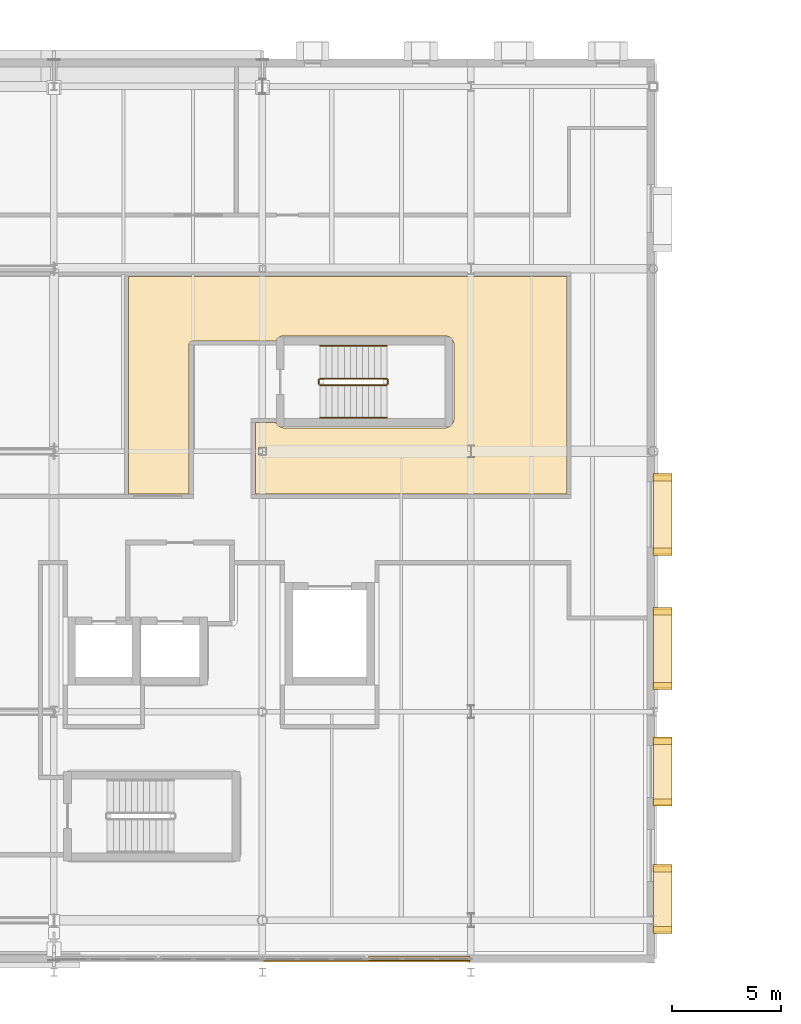
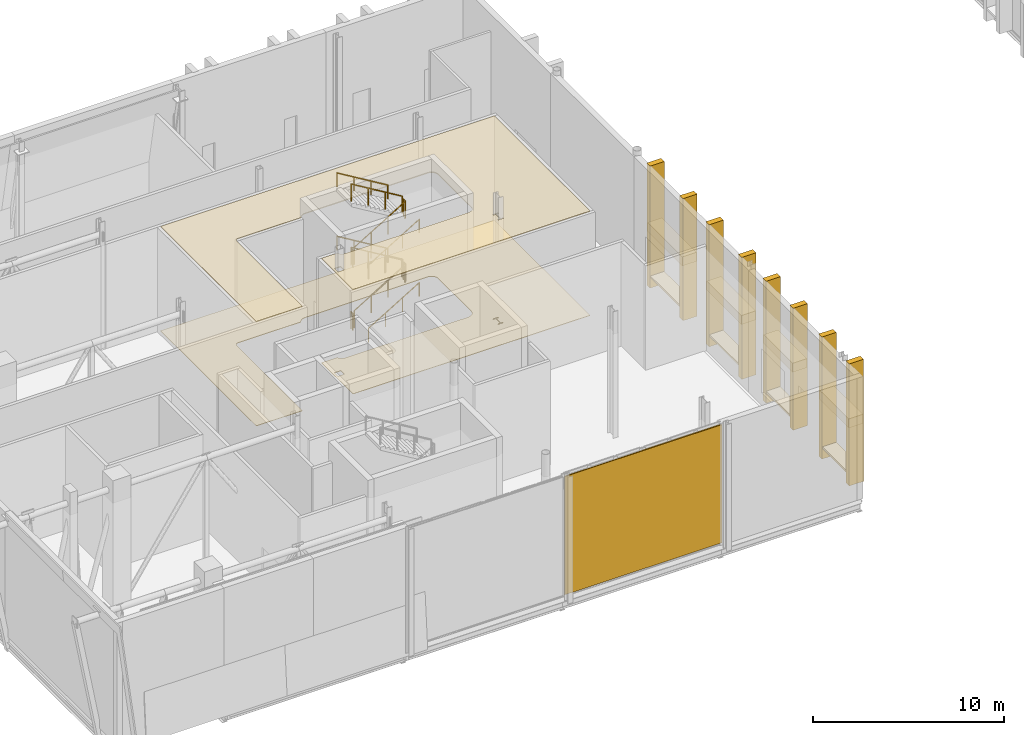
# One storey, part 67 of 79: 19 coverings, 12 railings, 1 shading device.
"""IFC4 building model written with IfcOpenShell, lengths in metres."""

from ifc_helpers import new_model, si_unit, direction, frame, origin, origin_2d, place, context, subcontext, project, spatial, polyline, rectangle, circle, outline, extrude, material, layer, layer_set, type_object, element, save


model = new_model("IFC4")

# Units and contexts
model_context = context("Model", 3, precision=1e-05, world=origin(), true_north=direction((0.0, 1.0)))
body_context = subcontext(model_context, "Body", "Model", "MODEL_VIEW")
ifc_project = project(units=[si_unit("LENGTHUNIT", "METRE"), si_unit("AREAUNIT", "SQUARE_METRE"), si_unit("VOLUMEUNIT", "CUBIC_METRE"), si_unit("PLANEANGLEUNIT", "RADIAN"), si_unit("MASSUNIT", "GRAM", prefix="KILO")], contexts=[model_context])

# Site, building, storey
site_placement = place(None, origin())
site = spatial("IfcSite", under=ifc_project, at=site_placement, CompositionType="ELEMENT")
building_placement = place(site_placement, origin())
building = spatial("IfcBuilding", under=site, at=building_placement, Name="Zereglee Splitstone Museum", CompositionType="ELEMENT")
storey_placement = place(building_placement, frame((0.0, 0.0, 9.0)))
storey = spatial("IfcBuildingStorey", under=building, at=storey_placement, Name="L02", CompositionType="ELEMENT", Elevation=9.0)

# Coverings
ifc_material_1 = material(Name="Siberian larch acoustic timber ceiling", Category="wood")
ifc_layer_1 = layer(ifc_material_1, 0.06005859375)
ifc_layer_set_1 = layer_set([ifc_layer_1], Name="Siberian larch acoustic timber ceiling")
covering_type_1 = type_object("IfcCoveringType", Name="CLG-01", PredefinedType="CEILING", material=ifc_layer_set_1)
covering_1_placement = place(storey_placement, frame((0.0, 0.0, 6.639892578125)))
element("IfcCovering", 1, at=covering_1_placement, inside=storey, type_object=covering_type_1, Name="Acoustic Ceiling L02-035", PredefinedType="CEILING", context=body_context, shape_type="SweptSolid", body=[
    extrude(outline(polyline([(26.799072265625, 26.679931640625), (26.783203125, 26.67919921875), (26.781494140625, 26.678955078125), (26.765869140625, 26.6767578125), (26.763916015625, 26.67626953125), (26.748779296875, 26.672607421875), (26.746826171875, 26.671875), (26.73193359375, 26.666748046875), (26.730224609375, 26.666015625), (26.716064453125, 26.6591796875), (26.71435546875, 26.658203125), (26.70068359375, 26.650146484375), (26.69921875, 26.649169921875), (26.6865234375, 26.6396484375), (26.68505859375, 26.638427734375), (26.67333984375, 26.6279296875), (26.672119140625, 26.626708984375), (26.66162109375, 26.614990234375), (26.660400390625, 26.61328125), (26.65087890625, 26.600830078125), (26.64990234375, 26.59912109375), (26.6416015625, 26.585693359375), (26.640869140625, 26.583984375), (26.634033203125, 26.56982421875), (26.63330078125, 26.568115234375), (26.628173828125, 26.55322265625), (26.62744140625, 26.55126953125), (26.623779296875, 26.5361328125), (26.623291015625, 26.5341796875), (26.62109375, 26.5185546875), (26.620849609375, 26.5166015625), (26.6201171875, 26.5009765625), (26.6201171875, 26.5), (26.6201171875, 19.6298828125), (23.840087890625, 19.6298828125), (23.840087890625, 29.659912109375), (44.02001953125, 29.659912109375), (44.02001953125, 19.6298828125), (29.679931640625, 19.6298828125), (29.679931640625, 22.919921875), (30.62109375, 22.919921875), (30.629638671875, 22.902099609375), (30.65087890625, 22.86669921875), (30.67529296875, 22.83349609375), (30.702880859375, 22.802978515625), (30.733642578125, 22.775390625), (30.7666015625, 22.750732421875), (30.802001953125, 22.7294921875), (30.83935546875, 22.7119140625), (30.878173828125, 22.697998046875), (30.918212890625, 22.68798828125), (30.958740234375, 22.681884765625), (31.0, 22.679931640625), (38.39990234375, 22.679931640625), (38.441162109375, 22.681884765625), (38.48193359375, 22.68798828125), (38.52197265625, 22.697998046875), (38.560791015625, 22.7119140625), (38.597900390625, 22.7294921875), (38.63330078125, 22.750732421875), (38.66650390625, 22.775390625), (38.697021484375, 22.802978515625), (38.724609375, 22.83349609375), (38.749267578125, 22.86669921875), (38.7705078125, 22.902099609375), (38.7880859375, 22.939208984375), (38.802001953125, 22.97802734375), (38.81201171875, 23.01806640625), (38.818115234375, 23.058837890625), (38.820068359375, 23.10009765625), (38.820068359375, 26.5), (38.818115234375, 26.541259765625), (38.81201171875, 26.581787109375), (38.802001953125, 26.621826171875), (38.7880859375, 26.66064453125), (38.7705078125, 26.697998046875), (38.749267578125, 26.7333984375), (38.724609375, 26.766357421875), (38.697021484375, 26.797119140625), (38.66650390625, 26.82470703125), (38.63330078125, 26.84912109375), (38.597900390625, 26.870361328125), (38.560791015625, 26.887939453125), (38.52197265625, 26.90185546875), (38.48193359375, 26.911865234375), (38.441162109375, 26.91796875), (38.39990234375, 26.919921875), (31.0, 26.919921875), (30.958740234375, 26.91796875), (30.918212890625, 26.911865234375), (30.878173828125, 26.90185546875), (30.83935546875, 26.887939453125), (30.802001953125, 26.870361328125), (30.7666015625, 26.84912109375), (30.733642578125, 26.82470703125), (30.702880859375, 26.797119140625), (30.67529296875, 26.766357421875), (30.65087890625, 26.7333984375), (30.629638671875, 26.697998046875), (30.62109375, 26.679931640625), (26.800048828125, 26.679931640625), (26.799072265625, 26.679931640625)]), holes=[polyline([(39.758056640625, 21.837890625), (39.758056640625, 21.883056640625), (39.44189453125, 21.883056640625), (39.44189453125, 21.837890625), (39.58447265625, 21.837890625), (39.58447265625, 21.362060546875), (39.44189453125, 21.362060546875), (39.44189453125, 21.31689453125), (39.758056640625, 21.31689453125), (39.758056640625, 21.362060546875), (39.615478515625, 21.362060546875), (39.615478515625, 21.837890625), (39.758056640625, 21.837890625)]), polyline([(29.81689453125, 21.782958984375), (29.81689453125, 21.4169921875), (30.18310546875, 21.4169921875), (30.18310546875, 21.782958984375), (29.81689453125, 21.782958984375)])]), origin(), (0.0, 0.0, 1.0), 0.06005859375),
])
ifc_material_2 = material(Name="Honed Gobi pale limestone stringcourse and soffit cladding", Category="masonry")
ifc_layer_2 = layer(ifc_material_2, 0.070068359375)
ifc_layer_set_2 = layer_set([ifc_layer_2], Name="Honed Gobi pale limestone stringcourse and soffit cladding")
covering_type_2 = type_object("IfcCoveringType", Name="CL-02", PredefinedType="CLADDING", material=ifc_layer_set_2)
covering_2_placement = place(storey_placement, frame((37.219970703125, -1.780029296875, 6.804931640625), z_axis=(0.0, 0.0, 1.0), x_axis=(1.0, 0.0, 0.0)))
element("IfcCovering", 2, at=covering_2_placement, inside=storey, type_object=covering_type_2, Name="Mughal Carved Clerestory Jaali Frieze RC4-CW-L02-105-2", PredefinedType="CLADDING", context=body_context, shape_type="SweptSolid", body=[
    extrude(rectangle(XDim=4.679931640625, YDim=0.239990234375, at=origin_2d()), origin(), (0.0, 0.0, 1.0), 0.75),
])
for number, where, z_axis, x_axis, name in (
    (3, (48.425048828125, -0.445068359375, 0.0), (0.0, 0.0, 1.0), (0.0, 1.0, 0.0), "Mughal Window Reveal Stone Pilaster L02-0083L"),
    (4, (48.425048828125, 2.39501953125, 0.0), (0.0, 0.0, 1.0), (0.0, 1.0, 0.0), "Mughal Window Reveal Stone Pilaster L02-0083R"),
):
    element("IfcCovering", number, at=place(storey_placement, frame(where, z_axis=z_axis, x_axis=x_axis)), inside=storey, type_object=covering_type_2, Name=name, PredefinedType="CLADDING", context=body_context, shape_type="SweptSolid", body=[
        extrude(rectangle(XDim=0.340087890625, YDim=0.860107421875, at=origin_2d()), origin(), (0.0, 0.0, 1.0), 7.800048828125),
    ])
covering_3_placement = place(storey_placement, frame((48.43505859375, 0.97509765625, 0.659912109375), z_axis=(0.0, 0.0, 1.0), x_axis=(0.0, 1.0, 0.0)))
element("IfcCovering", 5, at=covering_3_placement, inside=storey, type_object=covering_type_2, Name="Carved Limestone Window Sill L02-0083", PredefinedType="CLADDING", context=body_context, shape_type="SweptSolid", body=[
    extrude(rectangle(XDim=3.0400390625, YDim=0.840087890625, at=origin_2d()), origin(), (0.0, 0.0, 1.0), 0.1201171875),
])
for number, where, z_axis, x_axis, name in (
    (6, (48.425048828125, 5.425048828125, 0.0), (0.0, 0.0, 1.0), (0.0, 1.0, 0.0), "Mughal Window Reveal Stone Pilaster L02-0084L"),
    (7, (48.425048828125, 8.264892578125, 0.0), (0.0, 0.0, 1.0), (0.0, 1.0, 0.0), "Mughal Window Reveal Stone Pilaster L02-0084R"),
):
    element("IfcCovering", number, at=place(storey_placement, frame(where, z_axis=z_axis, x_axis=x_axis)), inside=storey, type_object=covering_type_2, Name=name, PredefinedType="CLADDING", context=body_context, shape_type="SweptSolid", body=[
        extrude(rectangle(XDim=0.340087890625, YDim=0.860107421875, at=origin_2d()), origin(), (0.0, 0.0, 1.0), 7.800048828125),
    ])
covering_4_placement = place(storey_placement, frame((48.43505859375, 6.844970703125, 0.659912109375), z_axis=(0.0, 0.0, 1.0), x_axis=(0.0, 1.0, 0.0)))
element("IfcCovering", 8, at=covering_4_placement, inside=storey, type_object=covering_type_2, Name="Carved Limestone Window Sill L02-0084", PredefinedType="CLADDING", context=body_context, shape_type="SweptSolid", body=[
    extrude(rectangle(XDim=3.0400390625, YDim=0.840087890625, at=origin_2d()), origin(), (0.0, 0.0, 1.0), 0.1201171875),
])
for number, where, z_axis, x_axis, name in (
    (9, (48.425048828125, 10.7900390625, 0.0), (0.0, 0.0, 1.0), (0.0, 1.0, 0.0), "Mughal Window Reveal Stone Pilaster L02-0085L"),
    (10, (48.425048828125, 14.22998046875, 0.0), (0.0, 0.0, 1.0), (0.0, 1.0, 0.0), "Mughal Window Reveal Stone Pilaster L02-0085R"),
):
    element("IfcCovering", number, at=place(storey_placement, frame(where, z_axis=z_axis, x_axis=x_axis)), inside=storey, type_object=covering_type_2, Name=name, PredefinedType="CLADDING", context=body_context, shape_type="SweptSolid", body=[
        extrude(rectangle(XDim=0.340087890625, YDim=0.860107421875, at=origin_2d()), origin(), (0.0, 0.0, 1.0), 7.800048828125),
    ])
covering_5_placement = place(storey_placement, frame((48.43505859375, 12.510009765625, 0.659912109375), z_axis=(0.0, 0.0, 1.0), x_axis=(0.0, 1.0, 0.0)))
element("IfcCovering", 11, at=covering_5_placement, inside=storey, type_object=covering_type_2, Name="Carved Limestone Window Sill L02-0085", PredefinedType="CLADDING", context=body_context, shape_type="SweptSolid", body=[
    extrude(rectangle(XDim=3.639892578125, YDim=0.840087890625, at=origin_2d()), origin(), (0.0, 0.0, 1.0), 0.1201171875),
])
for number, where, z_axis, x_axis, name in (
    (12, (48.425048828125, 16.969970703125, 0.0), (0.0, 0.0, 1.0), (0.0, 1.0, 0.0), "Mughal Window Reveal Stone Pilaster L02-0086L"),
    (13, (48.425048828125, 20.409912109375, 0.0), (0.0, 0.0, 1.0), (0.0, 1.0, 0.0), "Mughal Window Reveal Stone Pilaster L02-0086R"),
):
    element("IfcCovering", number, at=place(storey_placement, frame(where, z_axis=z_axis, x_axis=x_axis)), inside=storey, type_object=covering_type_2, Name=name, PredefinedType="CLADDING", context=body_context, shape_type="SweptSolid", body=[
        extrude(rectangle(XDim=0.340087890625, YDim=0.860107421875, at=origin_2d()), origin(), (0.0, 0.0, 1.0), 7.800048828125),
    ])
covering_6_placement = place(storey_placement, frame((48.43505859375, 18.68994140625, 0.659912109375), z_axis=(0.0, 0.0, 1.0), x_axis=(0.0, 1.0, 0.0)))
element("IfcCovering", 14, at=covering_6_placement, inside=storey, type_object=covering_type_2, Name="Carved Limestone Window Sill L02-0086", PredefinedType="CLADDING", context=body_context, shape_type="SweptSolid", body=[
    extrude(rectangle(XDim=3.639892578125, YDim=0.840087890625, at=origin_2d()), origin(), (0.0, 0.0, 1.0), 0.1201171875),
])
ifc_material_3 = material(Name="Honed Khoroo red sandstone ventilated rainscreen", Category="masonry")
ifc_layer_3 = layer(ifc_material_3, 0.080078125)
ifc_layer_set_3 = layer_set([ifc_layer_3], Name="Honed Khoroo red sandstone ventilated rainscreen")
covering_type_3 = type_object("IfcCoveringType", Name="CL-01", PredefinedType="CLADDING", material=ifc_layer_set_3)
for number, where, z_axis, x_axis, name in (
    (15, (48.43505859375, 0.97509765625, 3.659912109375), (0.0, 0.0, 1.0), (0.0, 1.0, 0.0), "Pointed-Arch Mughal Window Hood L02-0083"),
    (16, (48.43505859375, 6.844970703125, 3.659912109375), (0.0, 0.0, 1.0), (0.0, 1.0, 0.0), "Pointed-Arch Mughal Window Hood L02-0084"),
):
    element("IfcCovering", number, at=place(storey_placement, frame(where, z_axis=z_axis, x_axis=x_axis)), inside=storey, type_object=covering_type_3, Name=name, PredefinedType="CLADDING", context=body_context, shape_type="SweptSolid", body=[
        extrude(rectangle(XDim=3.0400390625, YDim=0.860107421875, at=origin_2d()), origin(), (0.0, 0.0, 1.0), 0.580078125),
    ])
for number, where, z_axis, x_axis, name in (
    (17, (48.43505859375, 12.510009765625, 3.4599609375), (0.0, 0.0, 1.0), (0.0, 1.0, 0.0), "Pointed-Arch Mughal Window Hood L02-0085"),
    (18, (48.43505859375, 18.68994140625, 3.4599609375), (0.0, 0.0, 1.0), (0.0, 1.0, 0.0), "Pointed-Arch Mughal Window Hood L02-0086"),
):
    element("IfcCovering", number, at=place(storey_placement, frame(where, z_axis=z_axis, x_axis=x_axis)), inside=storey, type_object=covering_type_3, Name=name, PredefinedType="CLADDING", context=body_context, shape_type="SweptSolid", body=[
        extrude(rectangle(XDim=3.639892578125, YDim=0.860107421875, at=origin_2d()), origin(), (0.0, 0.0, 1.0), 0.580078125),
    ])
ifc_material_4 = material(Name="Honed Gobi granite terrazzo flooring", Category="masonry")
ifc_layer_4 = layer(ifc_material_4, 0.030029296875)
ifc_layer_set_4 = layer_set([ifc_layer_4], Name="Honed Gobi granite terrazzo flooring")
covering_type_4 = type_object("IfcCoveringType", Name="FLR-01", PredefinedType="FLOORING", material=ifc_layer_set_4)
covering_7_placement = place(storey_placement, origin())
element("IfcCovering", 19, at=covering_7_placement, inside=storey, type_object=covering_type_4, Name="Terrazzo Gallery Flooring L02-022", PredefinedType="FLOORING", context=body_context, shape_type="SweptSolid", body=[
    extrude(outline(polyline([(26.799072265625, 26.679931640625), (26.783203125, 26.67919921875), (26.781494140625, 26.678955078125), (26.765869140625, 26.6767578125), (26.763916015625, 26.67626953125), (26.748779296875, 26.672607421875), (26.746826171875, 26.671875), (26.73193359375, 26.666748046875), (26.730224609375, 26.666015625), (26.716064453125, 26.6591796875), (26.71435546875, 26.658203125), (26.70068359375, 26.650146484375), (26.69921875, 26.649169921875), (26.6865234375, 26.6396484375), (26.68505859375, 26.638427734375), (26.67333984375, 26.6279296875), (26.672119140625, 26.626708984375), (26.66162109375, 26.614990234375), (26.660400390625, 26.61328125), (26.65087890625, 26.600830078125), (26.64990234375, 26.59912109375), (26.6416015625, 26.585693359375), (26.640869140625, 26.583984375), (26.634033203125, 26.56982421875), (26.63330078125, 26.568115234375), (26.628173828125, 26.55322265625), (26.62744140625, 26.55126953125), (26.623779296875, 26.5361328125), (26.623291015625, 26.5341796875), (26.62109375, 26.5185546875), (26.620849609375, 26.5166015625), (26.6201171875, 26.5009765625), (26.6201171875, 26.5), (26.6201171875, 19.6298828125), (23.840087890625, 19.6298828125), (23.840087890625, 29.659912109375), (44.02001953125, 29.659912109375), (44.02001953125, 19.6298828125), (29.679931640625, 19.6298828125), (29.679931640625, 22.919921875), (30.62109375, 22.919921875), (30.629638671875, 22.902099609375), (30.65087890625, 22.86669921875), (30.67529296875, 22.83349609375), (30.702880859375, 22.802978515625), (30.733642578125, 22.775390625), (30.7666015625, 22.750732421875), (30.802001953125, 22.7294921875), (30.83935546875, 22.7119140625), (30.878173828125, 22.697998046875), (30.918212890625, 22.68798828125), (30.958740234375, 22.681884765625), (31.0, 22.679931640625), (38.39990234375, 22.679931640625), (38.441162109375, 22.681884765625), (38.48193359375, 22.68798828125), (38.52197265625, 22.697998046875), (38.560791015625, 22.7119140625), (38.597900390625, 22.7294921875), (38.63330078125, 22.750732421875), (38.66650390625, 22.775390625), (38.697021484375, 22.802978515625), (38.724609375, 22.83349609375), (38.749267578125, 22.86669921875), (38.7705078125, 22.902099609375), (38.7880859375, 22.939208984375), (38.802001953125, 22.97802734375), (38.81201171875, 23.01806640625), (38.818115234375, 23.058837890625), (38.820068359375, 23.10009765625), (38.820068359375, 26.5), (38.818115234375, 26.541259765625), (38.81201171875, 26.581787109375), (38.802001953125, 26.621826171875), (38.7880859375, 26.66064453125), (38.7705078125, 26.697998046875), (38.749267578125, 26.7333984375), (38.724609375, 26.766357421875), (38.697021484375, 26.797119140625), (38.66650390625, 26.82470703125), (38.63330078125, 26.84912109375), (38.597900390625, 26.870361328125), (38.560791015625, 26.887939453125), (38.52197265625, 26.90185546875), (38.48193359375, 26.911865234375), (38.441162109375, 26.91796875), (38.39990234375, 26.919921875), (31.0, 26.919921875), (30.958740234375, 26.91796875), (30.918212890625, 26.911865234375), (30.878173828125, 26.90185546875), (30.83935546875, 26.887939453125), (30.802001953125, 26.870361328125), (30.7666015625, 26.84912109375), (30.733642578125, 26.82470703125), (30.702880859375, 26.797119140625), (30.67529296875, 26.766357421875), (30.65087890625, 26.7333984375), (30.629638671875, 26.697998046875), (30.62109375, 26.679931640625), (26.800048828125, 26.679931640625), (26.799072265625, 26.679931640625)]), holes=[polyline([(39.758056640625, 21.837890625), (39.758056640625, 21.883056640625), (39.44189453125, 21.883056640625), (39.44189453125, 21.837890625), (39.58447265625, 21.837890625), (39.58447265625, 21.362060546875), (39.44189453125, 21.362060546875), (39.44189453125, 21.31689453125), (39.758056640625, 21.31689453125), (39.758056640625, 21.362060546875), (39.615478515625, 21.362060546875), (39.615478515625, 21.837890625), (39.758056640625, 21.837890625)]), polyline([(29.81689453125, 21.782958984375), (29.81689453125, 21.4169921875), (30.18310546875, 21.4169921875), (30.18310546875, 21.782958984375), (29.81689453125, 21.782958984375)])]), origin(), (0.0, 0.0, 1.0), 0.030029296875),
])

# Railings
ifc_material_5 = material(Name="Painted steel S355J2 post-and-baluster guard", Category="steel")
railing_type_1 = type_object("IfcRailingType", Name="GR-03", PredefinedType="BALUSTRADE", material=ifc_material_5)
railing_1_placement = place(storey_placement, frame((32.64990234375, 24.64990234375, 0.168701171875)))
element("IfcRailing", 20, at=railing_1_placement, inside=storey, type_object=railing_type_1, Name="L02 ST-02 stair guard 1", PredefinedType="BALUSTRADE", context=body_context, shape_type="SweptSolid", body=[
    extrude(circle(Radius=0.02392578125, at=origin_2d()), frame((0.0, 0.0, 1.076416015625), z_axis=(0.856490936558, 0.0, 0.516162063304), x_axis=(0.0, 1.0, 0.0)), (0.0, 0.0, 1.0), 3.59619140625),
    extrude(circle(Radius=0.02099609375, at=origin_2d()), origin(), (0.0, 0.0, 1.0), 1.052001953125),
    extrude(circle(Radius=0.02099609375, at=origin_2d()), frame((1.026611328125, 0.0, 0.61865234375)), (0.0, 0.0, 1.0), 1.052001953125),
    extrude(circle(Radius=0.02099609375, at=origin_2d()), frame((2.053466796875, 0.0, 1.237548828125)), (0.0, 0.0, 1.0), 1.052001953125),
    extrude(circle(Radius=0.02099609375, at=origin_2d()), frame((3.080078125, 0.0, 1.856201171875)), (0.0, 0.0, 1.0), 1.052001953125),
])
railing_2_placement = place(storey_placement, frame((35.780029296875, 24.699951171875, 2.02490234375)))
element("IfcRailing", 21, at=railing_2_placement, inside=storey, type_object=railing_type_1, Name="L02 ST-02 stair guard 2", PredefinedType="BALUSTRADE", context=body_context, shape_type="SweptSolid", body=[
    extrude(circle(Radius=0.02392578125, at=origin_2d()), frame((0.0, 0.0, 1.076416015625), z_axis=(0.0, 1.0, 0.0), x_axis=(-1.0, 0.0, 0.0)), (0.0, 0.0, 1.0), 0.199951171875),
    extrude(circle(Radius=0.02099609375, at=origin_2d()), origin(), (0.0, 0.0, 1.0), 1.052001953125),
    extrude(circle(Radius=0.02099609375, at=origin_2d()), frame((0.0, 0.199951171875, 0.0)), (0.0, 0.0, 1.0), 1.052001953125),
])
railing_3_placement = place(storey_placement, frame((35.72998046875, 24.949951171875, 2.19384765625)))
element("IfcRailing", 22, at=railing_3_placement, inside=storey, type_object=railing_type_1, Name="L02 ST-02 stair guard 3", PredefinedType="BALUSTRADE", context=body_context, shape_type="SweptSolid", body=[
    extrude(circle(Radius=0.02392578125, at=origin_2d()), frame((0.0, 0.0, 1.076416015625), z_axis=(-0.856490936558, 0.0, 0.516162063304), x_axis=(0.0, -1.0, 0.0)), (0.0, 0.0, 1.0), 3.59619140625),
    extrude(circle(Radius=0.02099609375, at=origin_2d()), origin(), (0.0, 0.0, 1.0), 1.052001953125),
    extrude(circle(Radius=0.02099609375, at=origin_2d()), frame((-1.026611328125, 0.0, 0.61865234375)), (0.0, 0.0, 1.0), 1.052001953125),
    extrude(circle(Radius=0.02099609375, at=origin_2d()), frame((-2.053466796875, 0.0, 1.237548828125)), (0.0, 0.0, 1.0), 1.052001953125),
    extrude(circle(Radius=0.02099609375, at=origin_2d()), frame((-3.080078125, 0.0, 1.856201171875)), (0.0, 0.0, 1.0), 1.052001953125),
])
railing_4_placement = place(storey_placement, frame((32.60009765625, 24.699951171875, 4.050048828125)))
element("IfcRailing", 23, at=railing_4_placement, inside=storey, type_object=railing_type_1, Name="L02 ST-02 stair guard 4", PredefinedType="BALUSTRADE", context=body_context, shape_type="SweptSolid", body=[
    extrude(circle(Radius=0.02392578125, at=origin_2d()), frame((0.0, 0.0, 1.076416015625), z_axis=(0.0, 1.0, 0.0), x_axis=(-1.0, 0.0, 0.0)), (0.0, 0.0, 1.0), 0.199951171875),
    extrude(circle(Radius=0.02099609375, at=origin_2d()), origin(), (0.0, 0.0, 1.0), 1.052001953125),
    extrude(circle(Radius=0.02099609375, at=origin_2d()), frame((0.0, 0.199951171875, 0.0)), (0.0, 0.0, 1.0), 1.052001953125),
])
railing_5_placement = place(storey_placement, frame((32.64990234375, 24.64990234375, 4.21875)))
element("IfcRailing", 24, at=railing_5_placement, inside=storey, type_object=railing_type_1, Name="L02 ST-02 stair guard 5", PredefinedType="BALUSTRADE", context=body_context, shape_type="SweptSolid", body=[
    extrude(circle(Radius=0.02392578125, at=origin_2d()), frame((0.0, 0.0, 1.076416015625), z_axis=(0.856490936558, 0.0, 0.516162063304), x_axis=(0.0, 1.0, 0.0)), (0.0, 0.0, 1.0), 3.59619140625),
    extrude(circle(Radius=0.02099609375, at=origin_2d()), origin(), (0.0, 0.0, 1.0), 1.052001953125),
    extrude(circle(Radius=0.02099609375, at=origin_2d()), frame((1.026611328125, 0.0, 0.61865234375)), (0.0, 0.0, 1.0), 1.052001953125),
    extrude(circle(Radius=0.02099609375, at=origin_2d()), frame((2.053466796875, 0.0, 1.237548828125)), (0.0, 0.0, 1.0), 1.052001953125),
    extrude(circle(Radius=0.02099609375, at=origin_2d()), frame((3.080078125, 0.0, 1.856201171875)), (0.0, 0.0, 1.0), 1.052001953125),
])
railing_6_placement = place(storey_placement, frame((35.780029296875, 24.699951171875, 6.074951171875)))
element("IfcRailing", 25, at=railing_6_placement, inside=storey, type_object=railing_type_1, Name="L02 ST-02 stair guard 6", PredefinedType="BALUSTRADE", context=body_context, shape_type="SweptSolid", body=[
    extrude(circle(Radius=0.02392578125, at=origin_2d()), frame((0.0, 0.0, 1.076416015625), z_axis=(0.0, 1.0, 0.0), x_axis=(-1.0, 0.0, 0.0)), (0.0, 0.0, 1.0), 0.199951171875),
    extrude(circle(Radius=0.02099609375, at=origin_2d()), origin(), (0.0, 0.0, 1.0), 1.052001953125),
    extrude(circle(Radius=0.02099609375, at=origin_2d()), frame((0.0, 0.199951171875, 0.0)), (0.0, 0.0, 1.0), 1.052001953125),
])
railing_7_placement = place(storey_placement, frame((35.72998046875, 24.949951171875, 6.24365234375)))
element("IfcRailing", 26, at=railing_7_placement, inside=storey, type_object=railing_type_1, Name="L02 ST-02 stair guard 7", PredefinedType="BALUSTRADE", context=body_context, shape_type="SweptSolid", body=[
    extrude(circle(Radius=0.02392578125, at=origin_2d()), frame((0.0, 0.0, 1.076416015625), z_axis=(-0.856460923124, 0.0, 0.51621186267), x_axis=(0.0, -1.0, 0.0)), (0.0, 0.0, 1.0), 3.59619140625),
    extrude(circle(Radius=0.02099609375, at=origin_2d()), origin(), (0.0, 0.0, 1.0), 1.052001953125),
    extrude(circle(Radius=0.02099609375, at=origin_2d()), frame((-1.026611328125, 0.0, 0.618896484375)), (0.0, 0.0, 1.0), 1.052001953125),
    extrude(circle(Radius=0.02099609375, at=origin_2d()), frame((-2.053466796875, 0.0, 1.237548828125)), (0.0, 0.0, 1.0), 1.052001953125),
    extrude(circle(Radius=0.02099609375, at=origin_2d()), frame((-3.080078125, 0.0, 1.8564453125)), (0.0, 0.0, 1.0), 1.052001953125),
])
railing_8_placement = place(storey_placement, frame((32.60009765625, 24.699951171875, 0.0)))
element("IfcRailing", 27, at=railing_8_placement, inside=storey, type_object=railing_type_1, Name="L02 ST-02 stair guard 8", PredefinedType="BALUSTRADE", context=body_context, shape_type="SweptSolid", body=[
    extrude(circle(Radius=0.02392578125, at=origin_2d()), frame((0.0, 0.0, 1.076416015625), z_axis=(0.0, 1.0, 0.0), x_axis=(-1.0, 0.0, 0.0)), (0.0, 0.0, 1.0), 0.199951171875),
    extrude(circle(Radius=0.02099609375, at=origin_2d()), origin(), (0.0, 0.0, 1.0), 1.052001953125),
    extrude(circle(Radius=0.02099609375, at=origin_2d()), frame((0.0, 0.199951171875, 0.0)), (0.0, 0.0, 1.0), 1.052001953125),
])
ifc_material_6 = material(Name="Architectural bronze tubular handrail", Category="steel")
railing_type_2 = type_object("IfcRailingType", Name="HR-01", PredefinedType="HANDRAIL", material=ifc_material_6)
railing_9_placement = place(storey_placement, frame((32.64990234375, 23.14990234375, 0.168701171875)))
element("IfcRailing", 28, at=railing_9_placement, inside=storey, type_object=railing_type_2, Name="L02 ST-02 stair handrail 1", PredefinedType="HANDRAIL", context=body_context, shape_type="SweptSolid", body=[
    extrude(circle(Radius=0.02392578125, at=origin_2d()), frame((0.0, 0.0, 0.8759765625), z_axis=(0.856490936558, 0.0, 0.516162063304), x_axis=(0.0, 1.0, 0.0)), (0.0, 0.0, 1.0), 3.59619140625),
    extrude(circle(Radius=0.02099609375, at=origin_2d()), origin(), (0.0, 0.0, 1.0), 0.851806640625),
    extrude(circle(Radius=0.02099609375, at=origin_2d()), frame((1.026611328125, 0.0, 0.61865234375)), (0.0, 0.0, 1.0), 0.851806640625),
    extrude(circle(Radius=0.02099609375, at=origin_2d()), frame((2.053466796875, 0.0, 1.237548828125)), (0.0, 0.0, 1.0), 0.851806640625),
    extrude(circle(Radius=0.02099609375, at=origin_2d()), frame((3.080078125, 0.0, 1.856201171875)), (0.0, 0.0, 1.0), 0.851806640625),
])
railing_10_placement = place(storey_placement, frame((35.72998046875, 26.449951171875, 2.19384765625)))
element("IfcRailing", 29, at=railing_10_placement, inside=storey, type_object=railing_type_2, Name="L02 ST-02 stair handrail 2", PredefinedType="HANDRAIL", context=body_context, shape_type="SweptSolid", body=[
    extrude(circle(Radius=0.02392578125, at=origin_2d()), frame((0.0, 0.0, 0.8759765625), z_axis=(-0.856490936558, 0.0, 0.516162063304), x_axis=(0.0, -1.0, 0.0)), (0.0, 0.0, 1.0), 3.59619140625),
    extrude(circle(Radius=0.02099609375, at=origin_2d()), origin(), (0.0, 0.0, 1.0), 0.851806640625),
    extrude(circle(Radius=0.02099609375, at=origin_2d()), frame((-1.026611328125, 0.0, 0.61865234375)), (0.0, 0.0, 1.0), 0.851806640625),
    extrude(circle(Radius=0.02099609375, at=origin_2d()), frame((-2.053466796875, 0.0, 1.237548828125)), (0.0, 0.0, 1.0), 0.851806640625),
    extrude(circle(Radius=0.02099609375, at=origin_2d()), frame((-3.080078125, 0.0, 1.856201171875)), (0.0, 0.0, 1.0), 0.851806640625),
])
railing_11_placement = place(storey_placement, frame((32.64990234375, 23.14990234375, 4.21875)))
element("IfcRailing", 30, at=railing_11_placement, inside=storey, type_object=railing_type_2, Name="L02 ST-02 stair handrail 3", PredefinedType="HANDRAIL", context=body_context, shape_type="SweptSolid", body=[
    extrude(circle(Radius=0.02392578125, at=origin_2d()), frame((0.0, 0.0, 0.8759765625), z_axis=(0.856490936558, 0.0, 0.516162063304), x_axis=(0.0, 1.0, 0.0)), (0.0, 0.0, 1.0), 3.59619140625),
    extrude(circle(Radius=0.02099609375, at=origin_2d()), origin(), (0.0, 0.0, 1.0), 0.851806640625),
    extrude(circle(Radius=0.02099609375, at=origin_2d()), frame((1.026611328125, 0.0, 0.61865234375)), (0.0, 0.0, 1.0), 0.851806640625),
    extrude(circle(Radius=0.02099609375, at=origin_2d()), frame((2.053466796875, 0.0, 1.237548828125)), (0.0, 0.0, 1.0), 0.851806640625),
    extrude(circle(Radius=0.02099609375, at=origin_2d()), frame((3.080078125, 0.0, 1.856201171875)), (0.0, 0.0, 1.0), 0.851806640625),
])
railing_12_placement = place(storey_placement, frame((35.72998046875, 26.449951171875, 6.24365234375)))
element("IfcRailing", 31, at=railing_12_placement, inside=storey, type_object=railing_type_2, Name="L02 ST-02 stair handrail 4", PredefinedType="HANDRAIL", context=body_context, shape_type="SweptSolid", body=[
    extrude(circle(Radius=0.02392578125, at=origin_2d()), frame((0.0, 0.0, 0.8759765625), z_axis=(-0.856460923124, 0.0, 0.51621186267), x_axis=(0.0, -1.0, 0.0)), (0.0, 0.0, 1.0), 3.59619140625),
    extrude(circle(Radius=0.02099609375, at=origin_2d()), origin(), (0.0, 0.0, 1.0), 0.851806640625),
    extrude(circle(Radius=0.02099609375, at=origin_2d()), frame((-1.026611328125, 0.0, 0.618896484375)), (0.0, 0.0, 1.0), 0.851806640625),
    extrude(circle(Radius=0.02099609375, at=origin_2d()), frame((-2.053466796875, 0.0, 1.237548828125)), (0.0, 0.0, 1.0), 0.851806640625),
    extrude(circle(Radius=0.02099609375, at=origin_2d()), frame((-3.080078125, 0.0, 1.8564453125)), (0.0, 0.0, 1.0), 0.851806640625),
])

# Shading device
ifc_material_7 = material(Name="Patinated architectural bronze CuSn8 geometric jali screen")
ifc_layer_5 = layer(ifc_material_7, 0.06005859375)
ifc_layer_set_5 = layer_set([ifc_layer_5], Name="Patinated architectural bronze CuSn8 geometric jali screen")
shading_device_type = type_object("IfcShadingDeviceType", Name="JL-01", PredefinedType="USERDEFINED", material=ifc_layer_set_5)
shading_device_placement = place(storey_placement, frame((30.050048828125, -1.860107421875, 0.1201171875), z_axis=(0.0, -1.0, 0.0), x_axis=(1.0, 0.0, 0.0)))
element("IfcShadingDevice", 32, at=shading_device_placement, inside=storey, type_object=shading_device_type, Name="Bronze Mughal Jali Screen 22", ObjectType="SCREEN", PredefinedType="USERDEFINED", context=body_context, shape_type="SweptSolid", body=[
    extrude(outline(polyline([(0.0, 0.0), (9.5, 0.0), (9.5, 7.559814453125), (0.0, 7.559814453125), (0.0, 0.0)])), origin(), (0.0, 0.0, 1.0), 0.06005859375),
])

save(model, "model.ifc")
